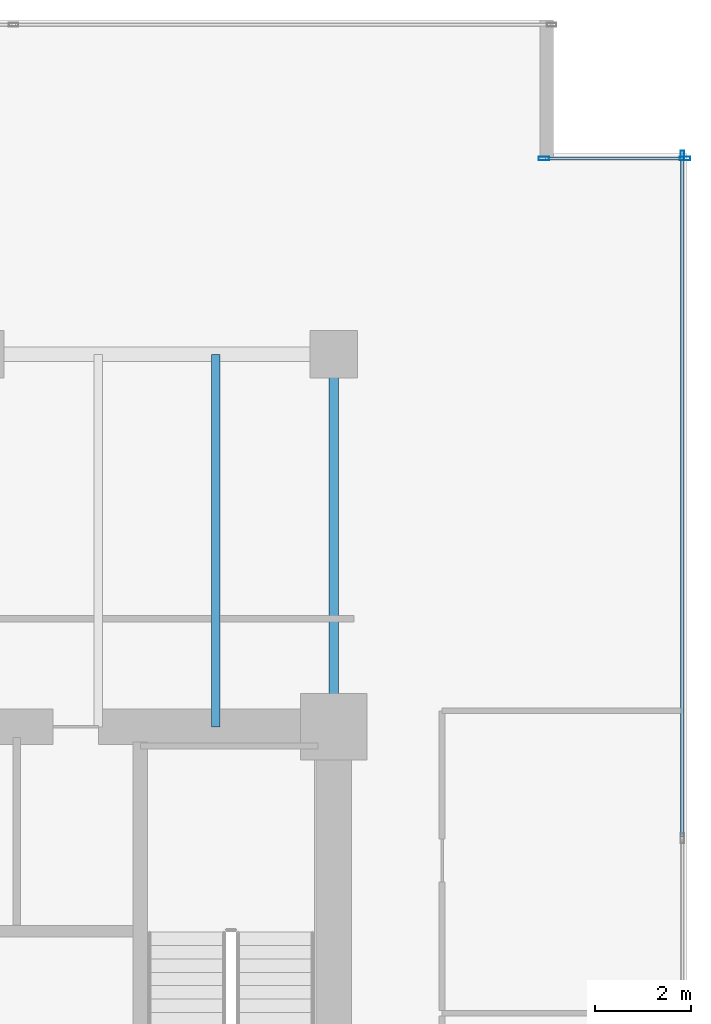
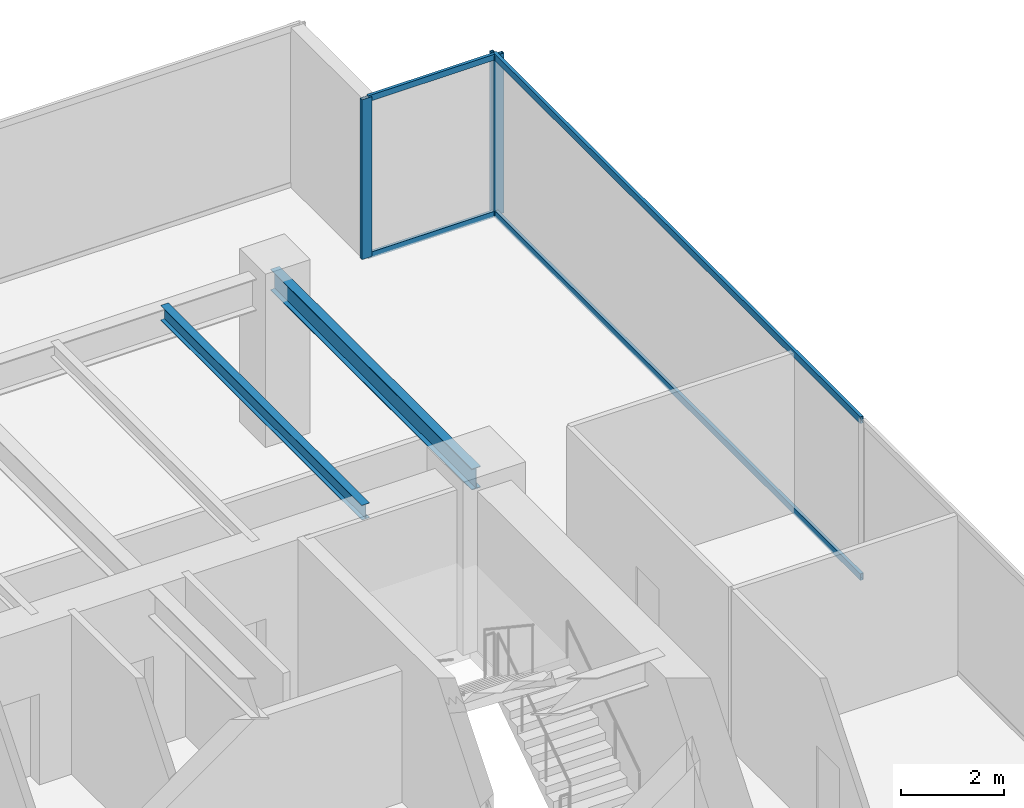
# One storey, part 26 of 35: 7 members, 2 beams, 2 elements without a shape of their own.
"""IFC4 building model written with IfcOpenShell, lengths in metres."""

from ifc_helpers import new_model, si_unit, direction, frame, origin, origin_2d, place, context, subcontext, project, spatial, hollow_rectangle, i_section, extrude, source, transform, mapped, material, layer, layer_set, material_profile, profile_set, type_object, type_shapes, element, aggregate, save


model = new_model("IFC4")

# Units and contexts
model_context = context("Model", 3, precision=1e-05, world=origin(), true_north=direction((0.0, 1.0)))
body_context = subcontext(model_context, "Body", "Model", "MODEL_VIEW")
ifc_project = project(units=[si_unit("LENGTHUNIT", "METRE"), si_unit("AREAUNIT", "SQUARE_METRE"), si_unit("VOLUMEUNIT", "CUBIC_METRE"), si_unit("PLANEANGLEUNIT", "RADIAN"), si_unit("MASSUNIT", "GRAM", prefix="KILO")], contexts=[model_context])

# Site, building, storey
site_placement = place(None, origin())
site = spatial("IfcSite", under=ifc_project, at=site_placement, CompositionType="ELEMENT")
building_placement = place(site_placement, origin())
building = spatial("IfcBuilding", under=site, at=building_placement, Name="Haelvirn Gate Laboratories", CompositionType="ELEMENT")
storey_placement = place(building_placement, frame((0.0, 0.0, 82.60009765625)))
storey = spatial("IfcBuildingStorey", under=building, at=storey_placement, Name="L20", CompositionType="ELEMENT", Elevation=82.60009765625)

# Beams
ifc_material_1 = material(Name="Steel SM355", Category="steel")
ifc_material_profile_1 = material_profile(ifc_material_1, i_section(OverallWidth=0.199951171875, OverallDepth=0.5, WebThickness=0.010009765625, FlangeThickness=0.01611328125, at=origin_2d()), Name="H-500x200x10x16")
ifc_profile_set_1 = profile_set([ifc_material_profile_1], Name="Steel SM355")
beam_type_1 = type_object("IfcBeamType", Name="BM-SP-500", PredefinedType="SPANDREL", material=ifc_profile_set_1)
shared_shape_1 = source(origin(), body_context, "Body", "SweptSolid", [
    extrude(i_section(OverallWidth=0.199951171875, OverallDepth=0.5, WebThickness=0.010009765625, FlangeThickness=0.01611328125, at=origin_2d()), origin(), (0.0, 0.0, 1.0), 7.800048828125),
])
type_shapes(beam_type_1, [shared_shape_1])
beam_1_placement = place(storey_placement, frame((67.39990234375, 33.800048828125, 3.52978515625), z_axis=(0.0, 1.0, 0.0), x_axis=(-1.0, 0.0, 0.0)))
element("IfcBeam", 1, at=beam_1_placement, inside=storey, type_object=beam_type_1, Name="L20 Perimeter Spandrel X67.4 (33.8-41.6)", PredefinedType="SPANDREL", context=body_context, shape_type="MappedRepresentation", body=[
    mapped(shared_shape_1, transform((0.0, 0.0, 0.0), scale=1.0)),
])
ifc_material_profile_2 = material_profile(ifc_material_1, i_section(OverallWidth=0.175048828125, OverallDepth=0.35009765625, WebThickness=0.007080078125, FlangeThickness=0.010986328125, at=origin_2d()), Name="H-350x175x7x11")
ifc_profile_set_2 = profile_set([ifc_material_profile_2], Name="Steel SM355")
beam_type_2 = type_object("IfcBeamType", Name="BM-J-350", PredefinedType="JOIST", material=ifc_profile_set_2)
shared_shape_2 = source(origin(), body_context, "Body", "SweptSolid", [
    extrude(i_section(OverallWidth=0.175048828125, OverallDepth=0.35009765625, WebThickness=0.007080078125, FlangeThickness=0.010986328125, at=origin_2d()), origin(), (0.0, 0.0, 1.0), 7.800048828125),
])
type_shapes(beam_type_2, [shared_shape_2])
beam_2_placement = place(storey_placement, frame((64.929931640625, 33.800048828125, 3.60498046875), z_axis=(0.0, 1.0, 0.0), x_axis=(-1.0, 0.0, 0.0)))
element("IfcBeam", 2, at=beam_2_placement, inside=storey, type_object=beam_type_2, Name="L20 Composite Lab Joist North X64.93", PredefinedType="JOIST", context=body_context, shape_type="MappedRepresentation", body=[
    mapped(shared_shape_2, transform((0.0, 0.0, 0.0), scale=1.0)),
])

# Curtain wall, members
ifc_material_2 = material(Name="Anodised bronze unitised aluminium & triple low-E glass", Category="aluminium")
ifc_layer_1 = layer(ifc_material_2, 0.181884765625, Name="CW-SYS-5")
ifc_layer_set_1 = layer_set([ifc_layer_1], Name="Anodised bronze unitised aluminium & triple low-E glass")
curtain_wall_type_1 = type_object("IfcCurtainWallType", Name="CW-SYS-5", PredefinedType="NOTDEFINED", material=ifc_layer_set_1)
curtain_wall_1_placement = place(storey_placement, origin())
curtain_wall_1 = element("IfcCurtainWall", 3, at=curtain_wall_1_placement, inside=storey, type_object=curtain_wall_type_1, Name="L20 Unitised Curtain Wall CW-L20-P0-E08-1", PredefinedType="NOTDEFINED")
ifc_material_3 = material(Name="Extruded aluminium 6063-T6 (anodised bronze)", Category="aluminium")
ifc_material_profile_3 = material_profile(ifc_material_3, hollow_rectangle(XDim=0.06494140625, YDim=0.139892578125, WallThickness=0.00390625, at=origin_2d()), Name="CWT-140x65x4")
ifc_profile_set_3 = profile_set([ifc_material_profile_3], Name="Extruded aluminium 6063-T6 (anodised bronze)")
member_type_1 = type_object("IfcMemberType", Name="CWT-T140", PredefinedType="USERDEFINED", material=ifc_profile_set_3)
shared_shape_3 = source(origin(), body_context, "Body", "SweptSolid", [
    extrude(hollow_rectangle(XDim=0.06494140625, YDim=0.139892578125, WallThickness=0.00390625, at=origin_2d()), origin(), (0.0, 0.0, 1.0), 2.8798828125),
])
type_shapes(member_type_1, [shared_shape_3])
member_1_placement = place(storey_placement, frame((71.840087890625, 45.699951171875, 0.032470703125), z_axis=(1.0, 0.0, 0.0), x_axis=(0.0, 1.0, 0.0)))
member_1 = element("IfcMember", 4, at=member_1_placement, type_object=member_type_1, Name="CW5 transom 1.1", ObjectType="TRANSOM", PredefinedType="USERDEFINED", context=body_context, shape_type="MappedRepresentation", body=[
    mapped(shared_shape_3, transform((0.0, 0.0, 0.0), scale=1.0)),
])
member_2_placement = place(storey_placement, frame((71.840087890625, 45.699951171875, 3.747314453125), z_axis=(1.0, 0.0, 0.0), x_axis=(0.0, 1.0, 0.0)))
member_2 = element("IfcMember", 5, at=member_2_placement, type_object=member_type_1, Name="CW5 transom 1.2", ObjectType="TRANSOM", PredefinedType="USERDEFINED", context=body_context, shape_type="MappedRepresentation", body=[
    mapped(shared_shape_3, transform((0.0, 0.0, 0.0), scale=1.0)),
])

ifc_layer_2 = layer(ifc_material_2, 0.18408203125, Name="CW-SYS-2")
ifc_layer_set_2 = layer_set([ifc_layer_2], Name="Anodised bronze unitised aluminium & triple low-E glass")
curtain_wall_type_2 = type_object("IfcCurtainWallType", Name="CW-SYS-2", PredefinedType="NOTDEFINED", material=ifc_layer_set_2)
curtain_wall_2_placement = place(storey_placement, origin())
curtain_wall_2 = element("IfcCurtainWall", 6, at=curtain_wall_2_placement, inside=storey, type_object=curtain_wall_type_2, Name="L20 Unitised Curtain Wall CW-L20-P0-E07", PredefinedType="NOTDEFINED")
ifc_material_profile_4 = material_profile(ifc_material_3, hollow_rectangle(XDim=0.070068359375, YDim=0.159912109375, WallThickness=0.0048828125, at=origin_2d()), Name="CWT-160x70x5")
ifc_profile_set_4 = profile_set([ifc_material_profile_4], Name="Extruded aluminium 6063-T6 (anodised bronze)")
member_type_2 = type_object("IfcMemberType", Name="CWT-T160", PredefinedType="USERDEFINED", material=ifc_profile_set_4)
shared_shape_4 = source(origin(), body_context, "Body", "SweptSolid", [
    extrude(hollow_rectangle(XDim=0.070068359375, YDim=0.159912109375, WallThickness=0.0048828125, at=origin_2d()), origin(), (0.0, 0.0, 1.0), 14.220947265625),
])
type_shapes(member_type_2, [shared_shape_4])
member_3_placement = place(storey_placement, frame((74.699951171875, 31.504150390625, 0.034912109375), z_axis=(0.0, 1.0, 0.0), x_axis=(-1.0, 0.0, 0.0)))
member_3 = element("IfcMember", 7, at=member_3_placement, type_object=member_type_2, Name="CW2 transom 3.1", ObjectType="TRANSOM", PredefinedType="USERDEFINED", context=body_context, shape_type="MappedRepresentation", body=[
    mapped(shared_shape_4, transform((0.0, 0.0, 0.0), scale=1.0)),
])
member_4_placement = place(storey_placement, frame((74.699951171875, 31.504150390625, 3.744873046875), z_axis=(0.0, 1.0, 0.0), x_axis=(-1.0, 0.0, 0.0)))
member_4 = element("IfcMember", 8, at=member_4_placement, type_object=member_type_2, Name="CW2 transom 3.2", ObjectType="TRANSOM", PredefinedType="USERDEFINED", context=body_context, shape_type="MappedRepresentation", body=[
    mapped(shared_shape_4, transform((0.0, 0.0, 0.0), scale=1.0)),
])
ifc_material_profile_5 = material_profile(ifc_material_3, hollow_rectangle(XDim=0.074951171875, YDim=0.199951171875, WallThickness=0.0048828125, at=origin_2d()), Name="CWM-200x75x5")
ifc_profile_set_5 = profile_set([ifc_material_profile_5], Name="Extruded aluminium 6063-T6 (anodised bronze)")
member_type_3 = type_object("IfcMemberType", Name="CWM-T200", PredefinedType="MULLION", material=ifc_profile_set_5)
shared_shape_5 = source(origin(), body_context, "Body", "SweptSolid", [
    extrude(hollow_rectangle(XDim=0.074951171875, YDim=0.199951171875, WallThickness=0.0048828125, at=origin_2d()), origin(), (0.0, 0.0, 1.0), 3.77978515625),
])
type_shapes(member_type_3, [shared_shape_5])
member_5_placement = place(storey_placement, frame((74.699951171875, 45.762451171875, 0.0), z_axis=(0.0, 0.0, 1.0), x_axis=(-1.0, 0.0, 0.0)))
member_5 = element("IfcMember", 9, at=member_5_placement, type_object=member_type_3, Name="CW2 mullion 4", PredefinedType="MULLION", context=body_context, shape_type="MappedRepresentation", body=[
    mapped(shared_shape_5, transform((0.0, 0.0, 0.0), scale=1.0)),
])
aggregate(curtain_wall_2, [member_5, member_3, member_4])

# Member
ifc_material_profile_6 = material_profile(ifc_material_3, hollow_rectangle(XDim=0.080078125, YDim=0.219970703125, WallThickness=0.006103515625, at=origin_2d()), Name="CWM-220x80x6")
ifc_profile_set_6 = profile_set([ifc_material_profile_6], Name="Extruded aluminium 6063-T6 (anodised bronze)")
member_type_4 = type_object("IfcMemberType", Name="CWM-T220", PredefinedType="MULLION", material=ifc_profile_set_6)
shared_shape_6 = source(origin(), body_context, "Body", "SweptSolid", [
    extrude(hollow_rectangle(XDim=0.080078125, YDim=0.219970703125, WallThickness=0.006103515625, at=origin_2d()), origin(), (0.0, 0.0, 1.0), 3.77978515625),
])
type_shapes(member_type_4, [shared_shape_6])
member_6_placement = place(storey_placement, frame((71.800048828125, 45.699951171875, 0.0), z_axis=(0.0, 0.0, 1.0), x_axis=(0.0, 1.0, 0.0)))
member_6 = element("IfcMember", 10, at=member_6_placement, type_object=member_type_4, Name="CW5 mullion 1", PredefinedType="MULLION", context=body_context, shape_type="MappedRepresentation", body=[
    mapped(shared_shape_6, transform((0.0, 0.0, 0.0), scale=1.0)),
])

member_7_placement = place(storey_placement, frame((74.760009765625, 45.699951171875, 0.0), z_axis=(0.0, 0.0, 1.0), x_axis=(0.0, 1.0, 0.0)))
member_7 = element("IfcMember", 11, at=member_7_placement, type_object=member_type_4, Name="CW5 mullion 2", PredefinedType="MULLION", context=body_context, shape_type="MappedRepresentation", body=[
    mapped(shared_shape_6, transform((0.0, 0.0, 0.0), scale=1.0)),
])

aggregate(curtain_wall_1, [member_6, member_7, member_1, member_2])

save(model, "model.ifc")
